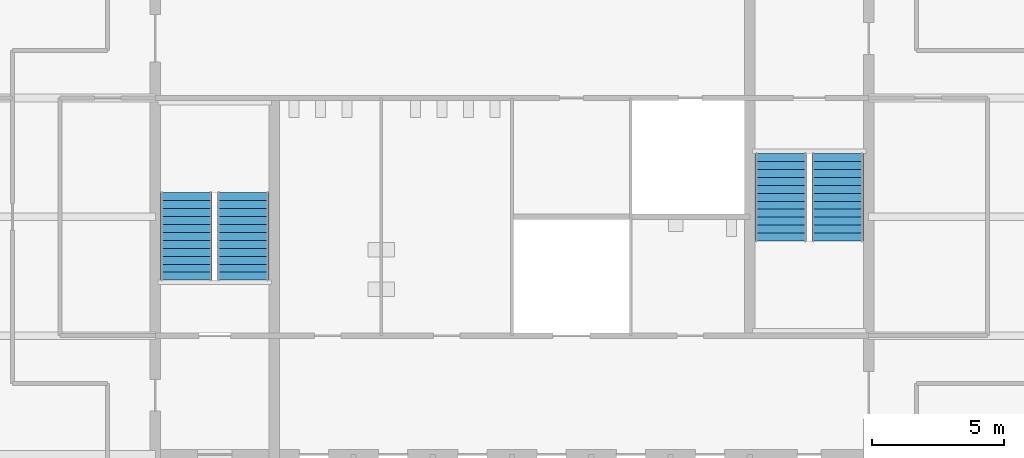
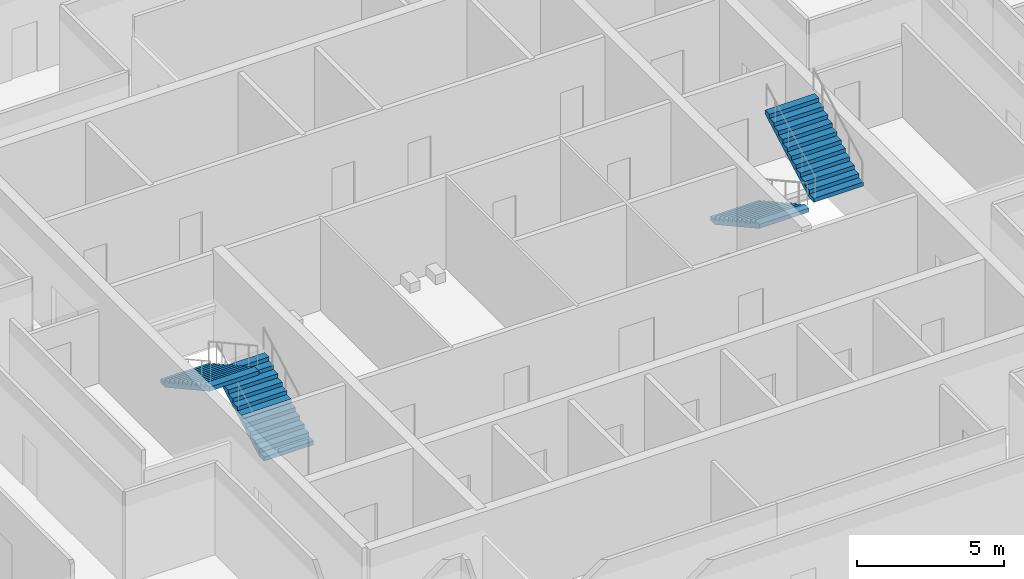
# One storey, part 12 of 14: 4 stair flights, 2 elements without a shape of their own.
"""IFC4 building model written with IfcOpenShell, lengths in metres."""

from ifc_helpers import new_model, si_unit, direction, frame, origin, place, context, subcontext, project, spatial, polyline, outline, extrude, material, type_object, element, aggregate, save


model = new_model("IFC4")

# Units and contexts
model_context = context("Model", 3, precision=1e-05, world=origin(), true_north=direction((0.0, 1.0)))
body_context = subcontext(model_context, "Body", "Model", "MODEL_VIEW")
ifc_project = project(units=[si_unit("LENGTHUNIT", "METRE"), si_unit("AREAUNIT", "SQUARE_METRE"), si_unit("VOLUMEUNIT", "CUBIC_METRE"), si_unit("PLANEANGLEUNIT", "RADIAN"), si_unit("MASSUNIT", "GRAM", prefix="KILO")], contexts=[model_context])

# Site, building, storey
site_placement = place(None, origin())
site = spatial("IfcSite", under=ifc_project, at=site_placement, CompositionType="ELEMENT")
building_placement = place(site_placement, origin())
building = spatial("IfcBuilding", under=site, at=building_placement, Name="Corais Broadcast Tower", CompositionType="ELEMENT")
storey_placement = place(building_placement, frame((0.0, 0.0, 214.60009765625)))
storey = spatial("IfcBuildingStorey", under=building, at=storey_placement, Name="L49", CompositionType="ELEMENT", Elevation=214.60009765625)

# Stair, stair flights
ifc_material_1 = material(Name="Concrete C30/37", Category="concrete")
stair_type = type_object("IfcStairType", Name="Half-turn stair 4000", PredefinedType="HALF_TURN_STAIR", material=ifc_material_1)
stair_1_placement = place(storey_placement, origin())
stair_1 = element("IfcStair", 1, at=stair_1_placement, inside=storey, type_object=stair_type, Name="Stair A L49", PredefinedType="HALF_TURN_STAIR")
ifc_material_2 = material(Name="Concrete C30/37", Category="concrete")
stair_flight_type = type_object("IfcStairFlightType", Name="Stair flight 4000", PredefinedType="STRAIGHT", material=ifc_material_2)
stair_flight_1_placement = place(storey_placement, frame((16.824951171875, 24.60009765625, 0.0), z_axis=(0.0, 0.0, 1.0), x_axis=(0.0, 1.0, 0.0)))
stair_flight_1 = element("IfcStairFlight", 2, at=stair_flight_1_placement, type_object=stair_flight_type, Name="STA flight 1", NumberOfRisers=12, NumberOfTreads=11, PredefinedType="STRAIGHT", RiserHeight=0.166666667, TreadLength=0.302, context=body_context, shape_type="SweptSolid", body=[
    extrude(outline(polyline([(0.0, 0.0), (0.0, 0.166748046875), (0.302001953125, 0.166748046875), (0.302001953125, 0.333251953125), (0.60400390625, 0.333251953125), (0.60400390625, 0.5), (0.906005859375, 0.5), (0.906005859375, 0.666748046875), (1.2080078125, 0.666748046875), (1.2080078125, 0.833251953125), (1.510009765625, 0.833251953125), (1.510009765625, 1.0), (1.81201171875, 1.0), (1.81201171875, 1.166748046875), (2.114013671875, 1.166748046875), (2.114013671875, 1.333251953125), (2.416015625, 1.333251953125), (2.416015625, 1.5), (2.718017578125, 1.5), (2.718017578125, 1.666748046875), (3.02001953125, 1.666748046875), (3.02001953125, 1.833251953125), (3.322021484375, 1.833251953125), (3.322021484375, 2.0), (3.322021484375, 1.662109375), (0.310302734375, 0.0), (0.0, 0.0)])), frame((0.0, 0.97509765625, 0.0), z_axis=(0.0, -1.0, 0.0), x_axis=(1.0, 0.0, 0.0)), (0.0, 0.0, 1.0), 1.949951171875),
])
stair_flight_2_placement = place(storey_placement, frame((14.675048828125, 27.922119140625, 2.0), z_axis=(0.0, 0.0, 1.0), x_axis=(0.0, -1.0, 0.0)))
stair_flight_2 = element("IfcStairFlight", 3, at=stair_flight_2_placement, type_object=stair_flight_type, Name="STA flight 2", NumberOfRisers=12, NumberOfTreads=11, PredefinedType="STRAIGHT", RiserHeight=0.166666667, TreadLength=0.302, context=body_context, shape_type="SweptSolid", body=[
    extrude(outline(polyline([(0.0, 0.0), (0.0, 0.166748046875), (0.302001953125, 0.166748046875), (0.302001953125, 0.333251953125), (0.60400390625, 0.333251953125), (0.60400390625, 0.5), (0.906005859375, 0.5), (0.906005859375, 0.666748046875), (1.2080078125, 0.666748046875), (1.2080078125, 0.833251953125), (1.510009765625, 0.833251953125), (1.510009765625, 1.0), (1.81201171875, 1.0), (1.81201171875, 1.166748046875), (2.114013671875, 1.166748046875), (2.114013671875, 1.333251953125), (2.416015625, 1.333251953125), (2.416015625, 1.5), (2.718017578125, 1.5), (2.718017578125, 1.666748046875), (3.02001953125, 1.666748046875), (3.02001953125, 1.833251953125), (3.322021484375, 1.833251953125), (3.322021484375, 2.0), (3.322021484375, 1.662109375), (0.310302734375, 0.0), (0.0, 0.0)])), frame((0.0, 0.97509765625, 0.0), z_axis=(0.0, -1.0, 0.0), x_axis=(1.0, 0.0, 0.0)), (0.0, 0.0, 1.0), 1.949951171875),
])
aggregate(stair_1, [stair_flight_1, stair_flight_2])

stair_2_placement = place(storey_placement, origin())
stair_2 = element("IfcStair", 4, at=stair_2_placement, inside=storey, type_object=stair_type, Name="Stair B L49", PredefinedType="HALF_TURN_STAIR")
stair_flight_3_placement = place(storey_placement, frame((37.175048828125, 29.39990234375, 0.0), z_axis=(0.0, 0.0, 1.0), x_axis=(0.0, -1.0, 0.0)))
stair_flight_3 = element("IfcStairFlight", 5, at=stair_flight_3_placement, type_object=stair_flight_type, Name="STB flight 1", NumberOfRisers=12, NumberOfTreads=11, PredefinedType="STRAIGHT", RiserHeight=0.166666667, TreadLength=0.302, context=body_context, shape_type="SweptSolid", body=[
    extrude(outline(polyline([(0.0, 0.0), (0.0, 0.166748046875), (0.302001953125, 0.166748046875), (0.302001953125, 0.333251953125), (0.60400390625, 0.333251953125), (0.60400390625, 0.5), (0.906005859375, 0.5), (0.906005859375, 0.666748046875), (1.2080078125, 0.666748046875), (1.2080078125, 0.833251953125), (1.510009765625, 0.833251953125), (1.510009765625, 1.0), (1.81201171875, 1.0), (1.81201171875, 1.166748046875), (2.114013671875, 1.166748046875), (2.114013671875, 1.333251953125), (2.416015625, 1.333251953125), (2.416015625, 1.5), (2.718017578125, 1.5), (2.718017578125, 1.666748046875), (3.02001953125, 1.666748046875), (3.02001953125, 1.833251953125), (3.322021484375, 1.833251953125), (3.322021484375, 2.0), (3.322021484375, 1.662109375), (0.310302734375, 0.0), (0.0, 0.0)])), frame((0.0, 0.97509765625, 0.0), z_axis=(0.0, -1.0, 0.0), x_axis=(1.0, 0.0, 0.0)), (0.0, 0.0, 1.0), 1.949951171875),
])
stair_flight_4_placement = place(storey_placement, frame((39.324951171875, 26.077880859375, 2.0), z_axis=(0.0, 0.0, 1.0), x_axis=(0.0, 1.0, 0.0)))
stair_flight_4 = element("IfcStairFlight", 6, at=stair_flight_4_placement, type_object=stair_flight_type, Name="STB flight 2", NumberOfRisers=12, NumberOfTreads=11, PredefinedType="STRAIGHT", RiserHeight=0.166666667, TreadLength=0.302, context=body_context, shape_type="SweptSolid", body=[
    extrude(outline(polyline([(0.0, 0.0), (0.0, 0.166748046875), (0.302001953125, 0.166748046875), (0.302001953125, 0.333251953125), (0.60400390625, 0.333251953125), (0.60400390625, 0.5), (0.906005859375, 0.5), (0.906005859375, 0.666748046875), (1.2080078125, 0.666748046875), (1.2080078125, 0.833251953125), (1.510009765625, 0.833251953125), (1.510009765625, 1.0), (1.81201171875, 1.0), (1.81201171875, 1.166748046875), (2.114013671875, 1.166748046875), (2.114013671875, 1.333251953125), (2.416015625, 1.333251953125), (2.416015625, 1.5), (2.718017578125, 1.5), (2.718017578125, 1.666748046875), (3.02001953125, 1.666748046875), (3.02001953125, 1.833251953125), (3.322021484375, 1.833251953125), (3.322021484375, 2.0), (3.322021484375, 1.662109375), (0.310302734375, 0.0), (0.0, 0.0)])), frame((0.0, 0.97509765625, 0.0), z_axis=(0.0, -1.0, 0.0), x_axis=(1.0, 0.0, 0.0)), (0.0, 0.0, 1.0), 1.949951171875),
])
aggregate(stair_2, [stair_flight_3, stair_flight_4])

save(model, "model.ifc")
